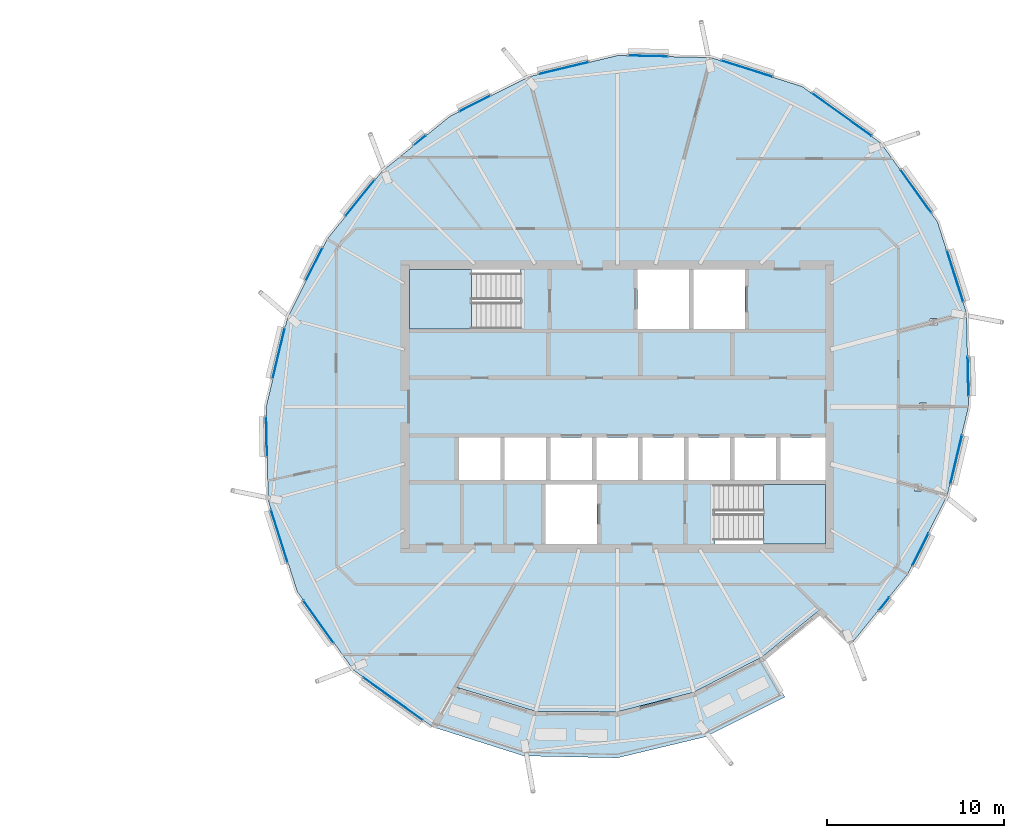
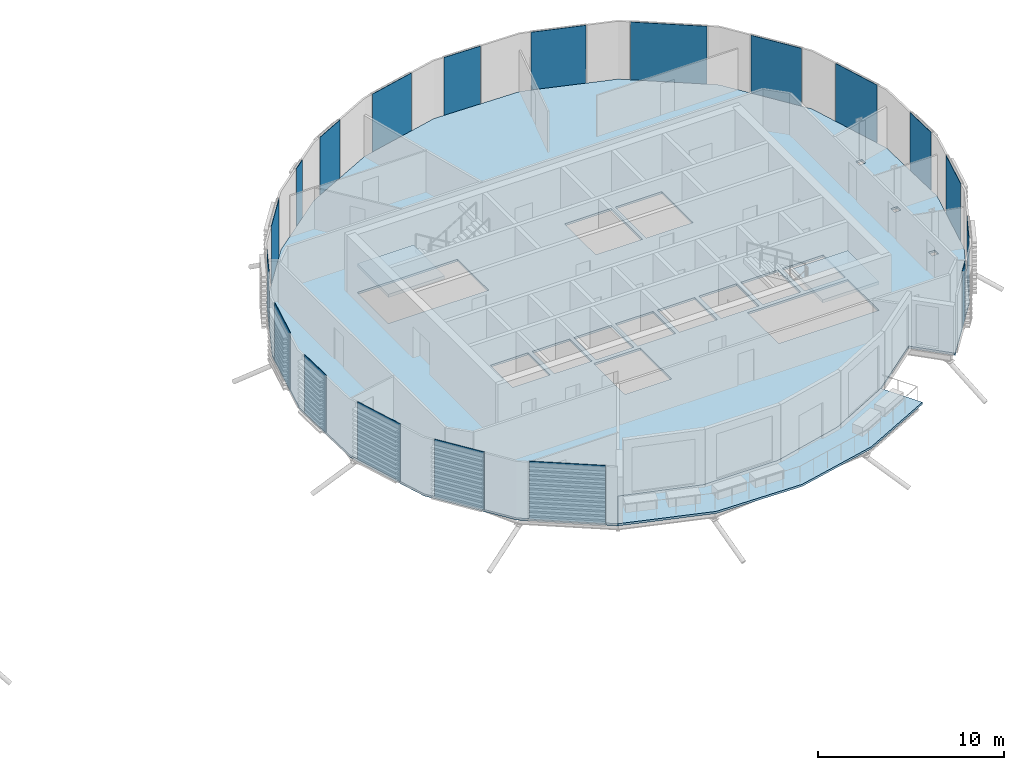
# One storey, part 19 of 41: 19 plates, 4 slabs, 3 elements without a shape of their own.
"""IFC4 building model written with IfcOpenShell, lengths in metres."""

from ifc_helpers import new_model, si_unit, direction, frame, origin, origin_2d, place, context, subcontext, project, spatial, polyline, rectangle, outline, extrude, material, layer, layer_set, type_object, element, aggregate, save


model = new_model("IFC4")

# Units and contexts
model_context = context("Model", 3, precision=1e-05, world=origin(), true_north=direction((0.0, 1.0)))
body_context = subcontext(model_context, "Body", "Model", "MODEL_VIEW")
ifc_project = project(units=[si_unit("LENGTHUNIT", "METRE"), si_unit("AREAUNIT", "SQUARE_METRE"), si_unit("VOLUMEUNIT", "CUBIC_METRE"), si_unit("PLANEANGLEUNIT", "RADIAN"), si_unit("MASSUNIT", "GRAM", prefix="KILO")], contexts=[model_context])

# Site, building, storey
site_placement = place(None, origin())
site = spatial("IfcSite", under=ifc_project, at=site_placement, CompositionType="ELEMENT")
building_placement = place(site_placement, origin())
building = spatial("IfcBuilding", under=site, at=building_placement, Name="Rimbun Link Towers", CompositionType="ELEMENT")
storey_placement = place(building_placement, frame((0.0, 0.0, 210.5)))
storey = spatial("IfcBuildingStorey", under=building, at=storey_placement, Name="L51", CompositionType="ELEMENT", Elevation=210.5)

# Slab
ifc_material_1 = material(Name="Concrete C35/45", Category="concrete")
ifc_layer_1 = layer(ifc_material_1, 0.139892578125)
ifc_layer_set_1 = layer_set([ifc_layer_1], Name="COMPOSITE FLOOR 140")
slab_type_1 = type_object("IfcSlabType", Name="COMPOSITE FLOOR 140", PredefinedType="FLOOR", material=ifc_layer_set_1)
slab_1_placement = place(storey_placement, frame((0.0, 0.0, -0.139892578125)))
element("IfcSlab", 1, at=slab_1_placement, inside=storey, type_object=slab_type_1, Name="Floor slab T2 L51", PredefinedType="FLOOR", context=body_context, shape_type="SweptSolid", body=[
    extrude(outline(polyline([(16.858154296875, -14.891845703125), (13.664794921875, -10.44140625), (12.02490234375, -5.285400390625), (11.913818359375, 0.0), (13.1083984375, 4.9951171875), (15.353759765625, 9.46630859375), (18.453857421875, 13.296142578125), (22.28369140625, 16.396240234375), (26.7548828125, 18.6416015625), (31.75, 19.836181640625), (37.035400390625, 19.72509765625), (42.19140625, 18.085205078125), (46.641845703125, 14.891845703125), (49.835205078125, 10.44140625), (51.47509765625, 5.285400390625), (51.586181640625, 0.0), (50.3916015625, -4.9951171875), (48.146240234375, -9.46630859375), (45.046142578125, -13.296142578125), (43.207763671875, -11.457763671875), (39.91650390625, -14.14453125), (36.072021484375, -16.13037109375), (31.75, -17.236328125), (27.1376953125, -17.213623046875), (22.6083984375, -15.83349609375), (21.30859375, -18.085205078125), (16.858154296875, -14.891845703125)]), holes=[polyline([(30.60009765625, -7.75), (30.60009765625, -4.39990234375), (27.699951171875, -4.39990234375), (27.699951171875, -7.75), (30.60009765625, -7.75)]), polyline([(25.138916015625, -4.14990234375), (25.138916015625, -1.75), (22.79443359375, -1.75), (22.79443359375, -4.14990234375), (25.138916015625, -4.14990234375)]), polyline([(27.7333984375, -4.14990234375), (27.7333984375, -1.75), (25.388916015625, -1.75), (25.388916015625, -4.14990234375), (27.7333984375, -4.14990234375)]), polyline([(30.327880859375, -4.14990234375), (30.327880859375, -1.75), (27.9833984375, -1.75), (27.9833984375, -4.14990234375), (30.327880859375, -4.14990234375)]), polyline([(32.922119140625, -4.14990234375), (32.922119140625, -1.75), (30.577880859375, -1.75), (30.577880859375, -4.14990234375), (32.922119140625, -4.14990234375)]), polyline([(35.5166015625, -4.14990234375), (35.5166015625, -1.75), (33.172119140625, -1.75), (33.172119140625, -4.14990234375), (35.5166015625, -4.14990234375)]), polyline([(26.239990234375, 4.39990234375), (26.239990234375, 7.75), (20.0, 7.75), (20.0, 4.39990234375), (26.239990234375, 4.39990234375)]), polyline([(35.800048828125, 4.39990234375), (35.800048828125, 7.75), (32.89990234375, 7.75), (32.89990234375, 4.39990234375), (35.800048828125, 4.39990234375)]), polyline([(43.5, -7.75), (43.5, -4.39990234375), (37.260009765625, -4.39990234375), (37.260009765625, -7.75), (43.5, -7.75)]), polyline([(48.93798828125, -4.748779296875), (48.93798828125, -4.355224609375), (48.5390625, -4.355224609375), (48.5390625, -4.748779296875), (48.93798828125, -4.748779296875)]), polyline([(38.111083984375, -4.14990234375), (38.111083984375, -1.75), (35.7666015625, -1.75), (35.7666015625, -4.14990234375), (38.111083984375, -4.14990234375)]), polyline([(40.70556640625, -4.14990234375), (40.70556640625, -1.75), (38.361083984375, -1.75), (38.361083984375, -4.14990234375), (40.70556640625, -4.14990234375)]), polyline([(43.5, -4.14990234375), (43.5, -1.75), (40.95556640625, -1.75), (40.95556640625, -4.14990234375), (43.5, -4.14990234375)]), polyline([(49.22216796875, -0.19677734375), (49.22216796875, 0.19677734375), (48.8232421875, 0.19677734375), (48.8232421875, -0.19677734375), (49.22216796875, -0.19677734375)]), polyline([(49.802978515625, 4.587158203125), (49.802978515625, 4.980712890625), (49.404052734375, 4.980712890625), (49.404052734375, 4.587158203125), (49.802978515625, 4.587158203125)]), polyline([(38.949951171875, 4.39990234375), (38.949951171875, 7.75), (36.050048828125, 7.75), (36.050048828125, 4.39990234375), (38.949951171875, 4.39990234375)])]), origin(), (0.0, 0.0, 1.0), 0.139892578125),
])

# Curtain wall, plates
ifc_material_2 = material(Name="Aluminium 6063-T6 and low-iron glass", Category="aluminium")
curtain_wall_type = type_object("IfcCurtainWallType", Name="CW1-Z4 unitised vision wall (zone 4)", PredefinedType="NOTDEFINED", material=ifc_material_2)
curtain_wall_placement = place(storey_placement, origin())
curtain_wall = element("IfcCurtainWall", 2, at=curtain_wall_placement, inside=storey, type_object=curtain_wall_type, Name="CW1 L51 T2", PredefinedType="NOTDEFINED")
ifc_material_3 = material(Name="Low-iron glass, laminated low-e unit", Category="glass")
ifc_layer_2 = layer(ifc_material_3, 0.028076171875)
ifc_layer_set_2 = layer_set([ifc_layer_2], Name="CW1 panel Low-iron glass 28")
plate_type = type_object("IfcPlateType", Name="CW1 panel Low-iron glass 28", PredefinedType="CURTAIN_PANEL", material=ifc_layer_set_2)
plate_1_placement = place(storey_placement, frame((44.4248046875, 16.499755859375, 0.0), z_axis=(0.0, 0.0, 1.0), x_axis=(0.812469633551, -0.583003511617, 0.0)))
plate_1 = element("IfcPlate", 3, at=plate_1_placement, type_object=plate_type, Name="CW1 panel", PredefinedType="CURTAIN_PANEL", context=body_context, shape_type="SweptSolid", body=[
    extrude(rectangle(XDim=4.137451171875, YDim=0.028076171875, at=origin_2d()), origin(), (0.0, 0.0, 1.0), 3.800048828125),
])
plate_2_placement = place(storey_placement, frame((39.069580078125, 19.0927734375, 0.0), z_axis=(0.0, 0.0, 1.0), x_axis=(0.952968975919, -0.30306786523, 0.0)))
plate_2 = element("IfcPlate", 4, at=plate_2_placement, type_object=plate_type, Name="CW1 panel", PredefinedType="CURTAIN_PANEL", context=body_context, shape_type="SweptSolid", body=[
    extrude(rectangle(XDim=3.020751953125, YDim=0.028076171875, at=origin_2d()), origin(), (0.0, 0.0, 1.0), 3.800048828125),
])
plate_3_placement = place(storey_placement, frame((33.4931640625, 19.8134765625, 0.0), z_axis=(0.0, 0.0, 1.0), x_axis=(0.999778345459, -0.021053739591, 0.0)))
plate_3 = element("IfcPlate", 5, at=plate_3_placement, type_object=plate_type, Name="CW1 panel", PredefinedType="CURTAIN_PANEL", context=body_context, shape_type="SweptSolid", body=[
    extrude(rectangle(XDim=2.24658203125, YDim=0.028076171875, at=origin_2d()), origin(), (0.0, 0.0, 1.0), 3.800048828125),
])
plate_4_placement = place(storey_placement, frame((28.71435546875, 19.124755859375, 0.0), z_axis=(0.0, 0.0, 1.0), x_axis=(0.972572572168, 0.232599638579, 0.0)))
plate_4 = element("IfcPlate", 6, at=plate_4_placement, type_object=plate_type, Name="CW1 panel", PredefinedType="CURTAIN_PANEL", context=body_context, shape_type="SweptSolid", body=[
    extrude(rectangle(XDim=2.895751953125, YDim=0.028076171875, at=origin_2d()), origin(), (0.0, 0.0, 1.0), 3.800048828125),
])
plate_5_placement = place(storey_placement, frame((23.708740234375, 17.127685546875, 0.0), z_axis=(0.0, 0.0, 1.0), x_axis=(0.893650392723, 0.448763830524, 0.0)))
plate_5 = element("IfcPlate", 7, at=plate_5_placement, type_object=plate_type, Name="CW1 panel", PredefinedType="CURTAIN_PANEL", context=body_context, shape_type="SweptSolid", body=[
    extrude(rectangle(XDim=1.963623046875, YDim=0.028076171875, at=origin_2d()), origin(), (0.0, 0.0, 1.0), 3.800048828125),
])
plate_6_placement = place(storey_placement, frame((20.593017578125, 15.0458984375, 0.0), z_axis=(0.0, 0.0, 1.0), x_axis=(0.777266138538, 0.629171955734, 0.0)))
plate_6 = element("IfcPlate", 8, at=plate_6_placement, type_object=plate_type, Name="CW1 panel", PredefinedType="CURTAIN_PANEL", context=body_context, shape_type="SweptSolid", body=[
    extrude(rectangle(XDim=0.88720703125, YDim=0.028076171875, at=origin_2d()), origin(), (0.0, 0.0, 1.0), 3.800048828125),
])
plate_7_placement = place(storey_placement, frame((17.22314453125, 11.798095703125, 0.0), z_axis=(0.0, 0.0, 1.0), x_axis=(0.629171955734, 0.777266138538, 0.0)))
plate_7 = element("IfcPlate", 9, at=plate_7_placement, type_object=plate_type, Name="CW1 panel", PredefinedType="CURTAIN_PANEL", context=body_context, shape_type="SweptSolid", body=[
    extrude(rectangle(XDim=2.63720703125, YDim=0.028076171875, at=origin_2d()), origin(), (0.0, 0.0, 1.0), 3.800048828125),
])
plate_8_placement = place(storey_placement, frame((14.622314453125, 8.041259765625, 0.0), z_axis=(0.0, 0.0, 1.0), x_axis=(0.448763830524, 0.893650392723, 0.0)))
plate_8 = element("IfcPlate", 10, at=plate_8_placement, type_object=plate_type, Name="CW1 panel", PredefinedType="CURTAIN_PANEL", context=body_context, shape_type="SweptSolid", body=[
    extrude(rectangle(XDim=2.0634765625, YDim=0.028076171875, at=origin_2d()), origin(), (0.0, 0.0, 1.0), 3.800048828125),
])
plate_9_placement = place(storey_placement, frame((12.619384765625, 3.011474609375, 0.0), z_axis=(0.0, 0.0, 1.0), x_axis=(0.232599638579, 0.972572572168, 0.0)))
plate_9 = element("IfcPlate", 11, at=plate_9_placement, type_object=plate_type, Name="CW1 panel", PredefinedType="CURTAIN_PANEL", context=body_context, shape_type="SweptSolid", body=[
    extrude(rectangle(XDim=2.94580078125, YDim=0.028076171875, at=origin_2d()), origin(), (0.0, 0.0, 1.0), 3.800048828125),
])
plate_10_placement = place(storey_placement, frame((11.935302734375, -1.693115234375, 0.0), z_axis=(0.0, 0.0, 1.0), x_axis=(-0.021053739591, 0.999778345459, 0.0)))
plate_10 = element("IfcPlate", 12, at=plate_10_placement, type_object=plate_type, Name="CW1 panel", PredefinedType="CURTAIN_PANEL", context=body_context, shape_type="SweptSolid", body=[
    extrude(rectangle(XDim=2.24658203125, YDim=0.028076171875, at=origin_2d()), origin(), (0.0, 0.0, 1.0), 3.800048828125),
])
plate_11_placement = place(storey_placement, frame((12.6572265625, -7.319580078125, 0.0), z_axis=(0.0, 0.0, 1.0), x_axis=(-0.30306786523, 0.952968975919, 0.0)))
plate_11 = element("IfcPlate", 13, at=plate_11_placement, type_object=plate_type, Name="CW1 panel", PredefinedType="CURTAIN_PANEL", context=body_context, shape_type="SweptSolid", body=[
    extrude(rectangle(XDim=3.12060546875, YDim=0.028076171875, at=origin_2d()), origin(), (0.0, 0.0, 1.0), 3.800048828125),
])
plate_12_placement = place(storey_placement, frame((14.87109375, -12.146728515625, 0.0), z_axis=(0.0, 0.0, 1.0), x_axis=(-0.583003511617, 0.812469633551, 0.0)))
plate_12 = element("IfcPlate", 14, at=plate_12_placement, type_object=plate_type, Name="CW1 panel", PredefinedType="CURTAIN_PANEL", context=body_context, shape_type="SweptSolid", body=[
    extrude(rectangle(XDim=2.9375, YDim=0.028076171875, at=origin_2d()), origin(), (0.0, 0.0, 1.0), 3.800048828125),
])
plate_13_placement = place(storey_placement, frame((19.0751953125, -16.499755859375, 0.0), z_axis=(0.0, 0.0, 1.0), x_axis=(-0.812469633551, 0.583003511617, 0.0)))
plate_13 = element("IfcPlate", 15, at=plate_13_placement, type_object=plate_type, Name="CW1 panel", PredefinedType="CURTAIN_PANEL", context=body_context, shape_type="SweptSolid", body=[
    extrude(rectangle(XDim=4.137451171875, YDim=0.028076171875, at=origin_2d()), origin(), (0.0, 0.0, 1.0), 3.800048828125),
])
plate_14_placement = place(storey_placement, frame((46.8115234375, -11.137451171875, 0.0), z_axis=(0.0, 0.0, 1.0), x_axis=(-0.629171955734, -0.777266138538, 0.0)))
plate_14 = element("IfcPlate", 16, at=plate_14_placement, type_object=plate_type, Name="CW1 panel", PredefinedType="CURTAIN_PANEL", context=body_context, shape_type="SweptSolid", body=[
    extrude(rectangle(XDim=0.937255859375, YDim=0.028076171875, at=origin_2d()), origin(), (0.0, 0.0, 1.0), 3.800048828125),
])
plate_15_placement = place(storey_placement, frame((48.866455078125, -8.063720703125, 0.0), z_axis=(0.0, 0.0, 1.0), x_axis=(-0.448763830524, -0.893650392723, 0.0)))
plate_15 = element("IfcPlate", 17, at=plate_15_placement, type_object=plate_type, Name="CW1 panel", PredefinedType="CURTAIN_PANEL", context=body_context, shape_type="SweptSolid", body=[
    extrude(rectangle(XDim=2.013427734375, YDim=0.028076171875, at=origin_2d()), origin(), (0.0, 0.0, 1.0), 3.800048828125),
])
plate_16_placement = place(storey_placement, frame((50.88623046875, -2.987060546875, 0.0), z_axis=(0.0, 0.0, 1.0), x_axis=(-0.232599638579, -0.972572572168, 0.0)))
plate_16 = element("IfcPlate", 18, at=plate_16_placement, type_object=plate_type, Name="CW1 panel", PredefinedType="CURTAIN_PANEL", context=body_context, shape_type="SweptSolid", body=[
    extrude(rectangle(XDim=2.7958984375, YDim=0.028076171875, at=origin_2d()), origin(), (0.0, 0.0, 1.0), 3.800048828125),
])
plate_17_placement = place(storey_placement, frame((51.564208984375, 1.71826171875, 0.0), z_axis=(0.0, 0.0, 1.0), x_axis=(0.021053739591, -0.999778345459, 0.0)))
plate_17 = element("IfcPlate", 19, at=plate_17_placement, type_object=plate_type, Name="CW1 panel", PredefinedType="CURTAIN_PANEL", context=body_context, shape_type="SweptSolid", body=[
    extrude(rectangle(XDim=2.196533203125, YDim=0.028076171875, at=origin_2d()), origin(), (0.0, 0.0, 1.0), 3.800048828125),
])
plate_18_placement = place(storey_placement, frame((50.82763671875, 7.367431640625, 0.0), z_axis=(0.0, 0.0, 1.0), x_axis=(0.30306786523, -0.952968975919, 0.0)))
plate_18 = element("IfcPlate", 20, at=plate_18_placement, type_object=plate_type, Name="CW1 panel", PredefinedType="CURTAIN_PANEL", context=body_context, shape_type="SweptSolid", body=[
    extrude(rectangle(XDim=3.020751953125, YDim=0.028076171875, at=origin_2d()), origin(), (0.0, 0.0, 1.0), 3.800048828125),
])
plate_19_placement = place(storey_placement, frame((48.6142578125, 12.1669921875, 0.0), z_axis=(0.0, 0.0, 1.0), x_axis=(0.583003511617, -0.812469633551, 0.0)))
plate_19 = element("IfcPlate", 21, at=plate_19_placement, type_object=plate_type, Name="CW1 panel", PredefinedType="CURTAIN_PANEL", context=body_context, shape_type="SweptSolid", body=[
    extrude(rectangle(XDim=2.987548828125, YDim=0.028076171875, at=origin_2d()), origin(), (0.0, 0.0, 1.0), 3.800048828125),
])
aggregate(curtain_wall, [plate_1, plate_2, plate_3, plate_4, plate_5, plate_6, plate_7, plate_8, plate_9, plate_10, plate_11, plate_12, plate_13, plate_14, plate_15, plate_16, plate_17, plate_18, plate_19])

# Stair, slab
ifc_material_4 = material(Name="Concrete C40/50", Category="concrete")
stair_type = type_object("IfcStairType", Name="Exit stair 3800 rise", PredefinedType="HALF_TURN_STAIR", material=ifc_material_4)
stair_1_placement = place(storey_placement, origin())
stair_1 = element("IfcStair", 22, at=stair_1_placement, inside=storey, type_object=stair_type, Name="L51 EXIT STAIR A", PredefinedType="HALF_TURN_STAIR")
ifc_material_5 = material(Name="Concrete C40/50", Category="concrete")
ifc_layer_3 = layer(ifc_material_5, 0.199951171875)
ifc_layer_set_3 = layer_set([ifc_layer_3], Name="Stair landing")
slab_type_2 = type_object("IfcSlabType", Name="Stair landing", PredefinedType="LANDING", material=ifc_layer_set_3)
slab_2_placement = place(storey_placement, frame((0.0, 0.0, 1.699951171875)))
slab_2 = element("IfcSlab", 23, at=slab_2_placement, type_object=slab_type_2, Name="ST3 landing 1", PredefinedType="LANDING", context=body_context, shape_type="SweptSolid", body=[
    extrude(outline(polyline([(23.5, 7.75), (20.0, 7.75), (20.0, 4.39990234375), (23.5, 4.39990234375), (23.5, 7.75)])), origin(), (0.0, 0.0, 1.0), 0.199951171875),
])
aggregate(stair_1, [slab_2])

stair_2_placement = place(storey_placement, origin())
stair_2 = element("IfcStair", 24, at=stair_2_placement, inside=storey, type_object=stair_type, Name="L51 EXIT STAIR B", PredefinedType="HALF_TURN_STAIR")
slab_3_placement = place(storey_placement, frame((0.0, 0.0, 1.699951171875)))
slab_3 = element("IfcSlab", 25, at=slab_3_placement, type_object=slab_type_2, Name="ST4 landing 1", PredefinedType="LANDING", context=body_context, shape_type="SweptSolid", body=[
    extrude(outline(polyline([(40.0, -7.75), (43.5, -7.75), (43.5, -4.39990234375), (40.0, -4.39990234375), (40.0, -7.75)])), origin(), (0.0, 0.0, 1.0), 0.199951171875),
])
aggregate(stair_2, [slab_3])

# Slab
ifc_material_6 = material(Name="Concrete C35/45", Category="concrete")
ifc_layer_4 = layer(ifc_material_6, 0.139892578125)
ifc_layer_set_4 = layer_set([ifc_layer_4], Name="TERRACE SLAB 140")
slab_type_3 = type_object("IfcSlabType", Name="TERRACE SLAB 140", PredefinedType="FLOOR", material=ifc_layer_set_4)
slab_4_placement = place(storey_placement, frame((0.0, 0.0, -0.139892578125)))
element("IfcSlab", 26, at=slab_4_placement, inside=storey, type_object=slab_type_3, Name="Terrace slab T2 L51", PredefinedType="FLOOR", context=body_context, shape_type="SweptSolid", body=[
    extrude(outline(polyline([(22.6083984375, -15.83349609375), (27.1376953125, -17.213623046875), (31.75, -17.236328125), (36.072021484375, -16.13037109375), (39.91650390625, -14.14453125), (41.21630859375, -16.396240234375), (36.7451171875, -18.6416015625), (31.75, -19.836181640625), (26.464599609375, -19.72509765625), (21.30859375, -18.085205078125), (22.6083984375, -15.83349609375)])), origin(), (0.0, 0.0, 1.0), 0.139892578125),
])

save(model, "model.ifc")
